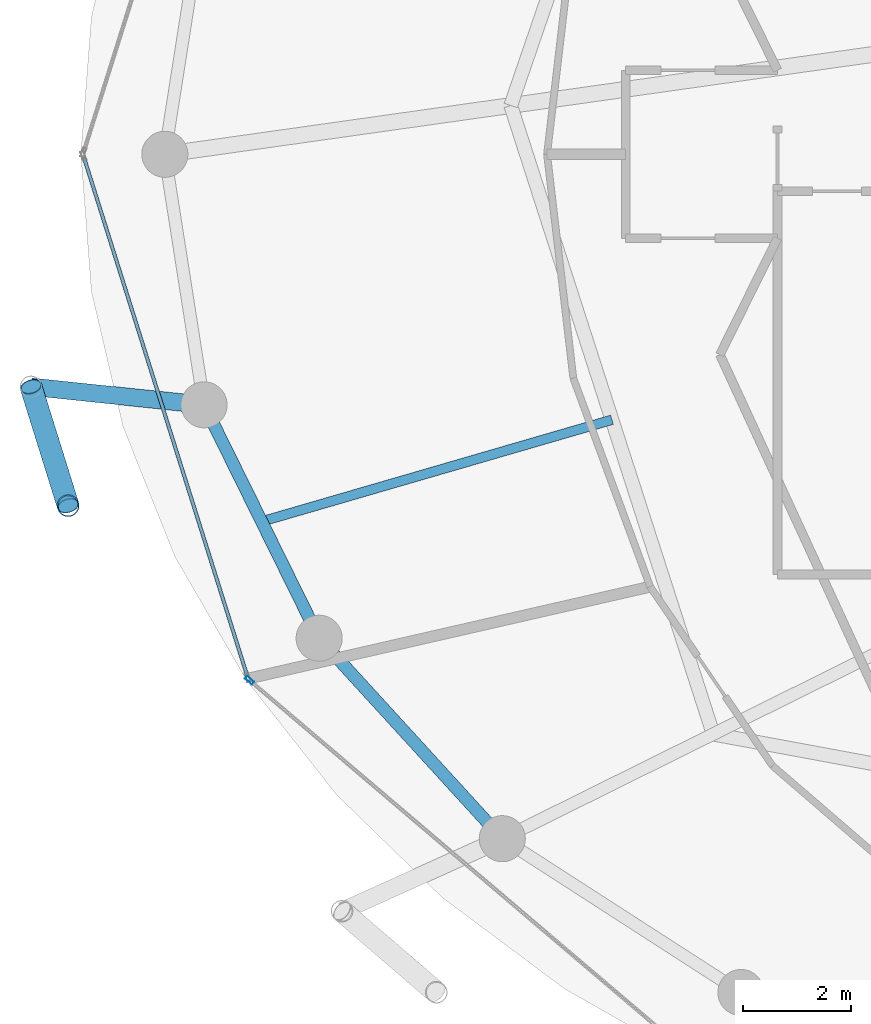
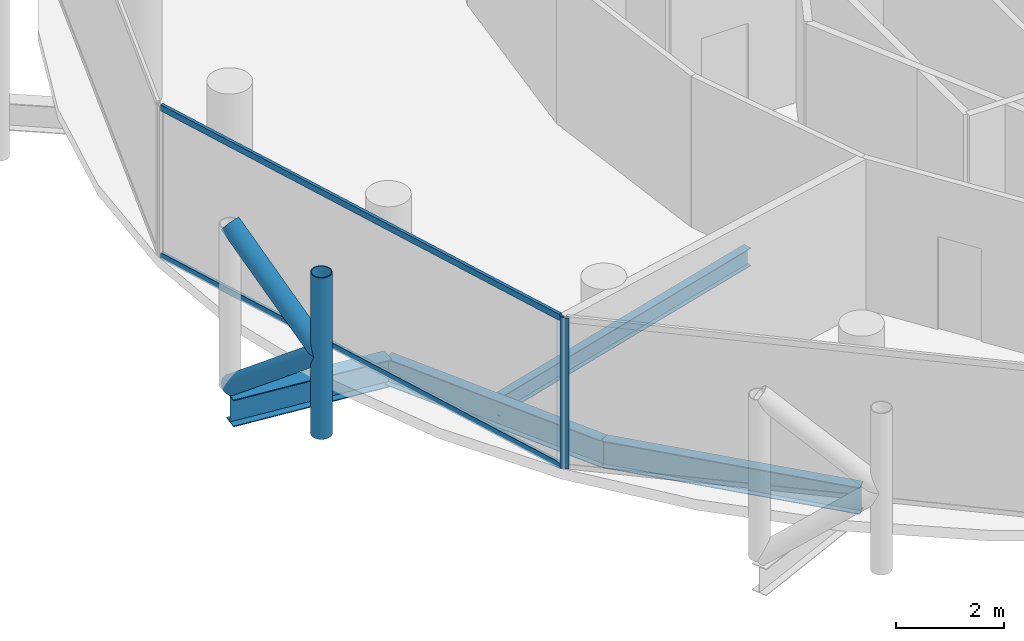
# One storey, part 3 of 27: 6 members, 4 beams, 2 elements without a shape of their own.
"""IFC4 building model written with IfcOpenShell, lengths in metres."""

from ifc_helpers import new_model, si_unit, direction, frame, origin, origin_2d, place, context, subcontext, project, spatial, hollow_rectangle, hollow_circle, i_section, extrude, material, layer, layer_set, material_profile, profile_set, type_object, element, aggregate, save


model = new_model("IFC4")

# Units and contexts
model_context = context("Model", 3, precision=1e-05, world=origin(), true_north=direction((0.0, 1.0)))
body_context = subcontext(model_context, "Body", "Model", "MODEL_VIEW")
ifc_project = project(units=[si_unit("LENGTHUNIT", "METRE"), si_unit("AREAUNIT", "SQUARE_METRE"), si_unit("VOLUMEUNIT", "CUBIC_METRE"), si_unit("PLANEANGLEUNIT", "RADIAN"), si_unit("MASSUNIT", "GRAM", prefix="KILO")], contexts=[model_context])

# Site, building, storey
site_placement = place(None, origin())
site = spatial("IfcSite", under=ifc_project, at=site_placement, CompositionType="ELEMENT")
building_placement = place(site_placement, origin())
building = spatial("IfcBuilding", under=site, at=building_placement, Name="Nuhasar Tower", CompositionType="ELEMENT")
storey_placement = place(building_placement, frame((0.0, 0.0, 211.800048828125)))
storey = spatial("IfcBuildingStorey", under=building, at=storey_placement, Name="L51", CompositionType="ELEMENT", Elevation=211.800048828125)

# Beams
ifc_material_1 = material(Name="Steel S355", Category="steel")
ifc_material_profile_1 = material_profile(ifc_material_1, i_section(OverallWidth=0.177978515625, OverallDepth=0.406005859375, WebThickness=0.0078125, FlangeThickness=0.0126953125, at=origin_2d()), Name="W16X40")
ifc_profile_set_1 = profile_set([ifc_material_profile_1], Name="Steel S355")
beam_type_1 = type_object("IfcBeamType", Name="BM-JST-W16X40", PredefinedType="JOIST", material=ifc_profile_set_1)
beam_1_placement = place(storey_placement, frame((25.9970703125, 21.904052734375, -0.443115234375), z_axis=(-0.960312689798, -0.27892568511, 0.0), x_axis=(0.27892568511, -0.960312689798, 0.0)))
element("IfcBeam", 1, at=beam_1_placement, inside=storey, type_object=beam_type_1, Name="L51 Secondary Floor Joist 08", PredefinedType="JOIST", context=body_context, shape_type="SweptSolid", body=[
    extrude(i_section(OverallWidth=0.177978515625, OverallDepth=0.406005859375, WebThickness=0.0078125, FlangeThickness=0.0126953125, at=origin_2d()), origin(), (0.0, 0.0, 1.0), 6.729248046875),
])
ifc_material_profile_2 = material_profile(ifc_material_1, i_section(OverallWidth=0.22802734375, OverallDepth=0.60791015625, WebThickness=0.01123046875, FlangeThickness=0.017333984375, at=origin_2d()), Name="W24X76")
ifc_profile_set_2 = profile_set([ifc_material_profile_2], Name="Steel S355")
beam_type_2 = type_object("IfcBeamType", Name="BM-RING-W24X76", PredefinedType="SPANDREL", material=ifc_profile_set_2)
beam_2_placement = place(storey_placement, frame((18.47412109375, 22.179931640625, -0.5439453125), z_axis=(0.442262779282, -0.896885518928, 0.0), x_axis=(0.896885518928, 0.442262779282, 0.0)))
element("IfcBeam", 2, at=beam_2_placement, inside=storey, type_object=beam_type_2, Name="L51 Perimeter Ring Spandrel 14", PredefinedType="SPANDREL", context=body_context, shape_type="SweptSolid", body=[
    extrude(i_section(OverallWidth=0.22802734375, OverallDepth=0.60791015625, WebThickness=0.01123046875, FlangeThickness=0.017333984375, at=origin_2d()), origin(), (0.0, 0.0, 1.0), 4.7998046875),
])
beam_3_placement = place(storey_placement, frame((20.596923828125, 17.875, -0.5439453125), z_axis=(0.674449692975, -0.738320805373, 0.0), x_axis=(0.738320805373, 0.674449692975, 0.0)))
element("IfcBeam", 3, at=beam_3_placement, inside=storey, type_object=beam_type_2, Name="L51 Perimeter Ring Spandrel 15", PredefinedType="SPANDREL", context=body_context, shape_type="SweptSolid", body=[
    extrude(i_section(OverallWidth=0.22802734375, OverallDepth=0.60791015625, WebThickness=0.01123046875, FlangeThickness=0.017333984375, at=origin_2d()), origin(), (0.0, 0.0, 1.0), 5.00732421875),
])
ifc_material_profile_3 = material_profile(ifc_material_1, i_section(OverallWidth=0.323974609375, OverallDepth=0.611083984375, WebThickness=0.0126953125, FlangeThickness=0.01904296875, at=origin_2d()), Name="W24X104")
ifc_profile_set_3 = profile_set([ifc_material_profile_3], Name="Steel S355")
beam_type_3 = type_object("IfcBeamType", Name="BM-TIE-W24X104", PredefinedType="BEAM", material=ifc_profile_set_3)
beam_4_placement = place(storey_placement, frame((18.47412109375, 22.179931640625, -0.545166015625), z_axis=(-0.994571111079, 0.10405914187, 0.0), x_axis=(-0.10405914187, -0.994571111079, 0.0)))
element("IfcBeam", 4, at=beam_4_placement, inside=storey, type_object=beam_type_3, Name="L51 Exoskeleton Node Tie Beam 07", PredefinedType="BEAM", context=body_context, shape_type="SweptSolid", body=[
    extrude(i_section(OverallWidth=0.323974609375, OverallDepth=0.611083984375, WebThickness=0.0126953125, FlangeThickness=0.01904296875, at=origin_2d()), origin(), (0.0, 0.0, 1.0), 3.20947265625),
])

# Curtain wall, member
ifc_material_2 = material(Name="Aluminium 6063-T6", Category="aluminium")
ifc_layer = layer(ifc_material_2, 0.18994140625)
ifc_layer_set = layer_set([ifc_layer], Name="Aluminium 6063-T6")
curtain_wall_type = type_object("IfcCurtainWallType", Name="CW-Z3-RES", PredefinedType="NOTDEFINED", material=ifc_layer_set)
curtain_wall_1_placement = place(storey_placement, origin())
curtain_wall_1 = element("IfcCurtainWall", 5, at=curtain_wall_1_placement, inside=storey, type_object=curtain_wall_type, Name="L51 Unitised Curtain Wall 08", PredefinedType="NOTDEFINED")
ifc_material_profile_4 = material_profile(ifc_material_2, hollow_rectangle(XDim=0.06494140625, YDim=0.169921875, WallThickness=0.0048828125, at=origin_2d()), Name="CWM-4")
ifc_profile_set_4 = profile_set([ifc_material_profile_4], Name="Aluminium 6063-T6")
member_type_1 = type_object("IfcMemberType", Name="CW-MUL-S4", PredefinedType="MULLION", material=ifc_profile_set_4)
member_1_placement = place(storey_placement, frame((19.313720703125, 17.098876953125, 0.0), z_axis=(0.0, 0.0, 1.0), x_axis=(0.64789521578, 0.761729472562, 0.0)))
member_1 = element("IfcMember", 6, at=member_1_placement, type_object=member_type_1, Name="CW-Z3 mullion 1", PredefinedType="MULLION", context=body_context, shape_type="SweptSolid", body=[
    extrude(hollow_rectangle(XDim=0.06494140625, YDim=0.169921875, WallThickness=0.0048828125, at=origin_2d()), origin(), (0.0, 0.0, 1.0), 3.409912109375),
])
aggregate(curtain_wall_1, [member_1])

# Curtain wall, members
curtain_wall_2_placement = place(storey_placement, origin())
curtain_wall_2 = element("IfcCurtainWall", 7, at=curtain_wall_2_placement, inside=storey, type_object=curtain_wall_type, Name="L51 Unitised Curtain Wall 07", PredefinedType="NOTDEFINED")
ifc_material_profile_5 = material_profile(ifc_material_2, hollow_rectangle(XDim=0.06494140625, YDim=0.139892578125, WallThickness=0.00439453125, at=origin_2d()), Name="CWT-4")
ifc_profile_set_5 = profile_set([ifc_material_profile_5], Name="Aluminium 6063-T6")
member_type_2 = type_object("IfcMemberType", Name="CW-TRN-S4", PredefinedType="USERDEFINED", material=ifc_profile_set_5)
member_2_placement = place(storey_placement, frame((16.259521484375, 26.738037109375, 0.032470703125), z_axis=(0.300430390604, -0.953803743126, 0.0), x_axis=(0.953803743126, 0.300430390604, 0.0)))
member_2 = element("IfcMember", 8, at=member_2_placement, type_object=member_type_2, Name="CW-Z3 transom 1.1", ObjectType="TRANSOM", PredefinedType="USERDEFINED", context=body_context, shape_type="SweptSolid", body=[
    extrude(hollow_rectangle(XDim=0.06494140625, YDim=0.139892578125, WallThickness=0.00439453125, at=origin_2d()), origin(), (0.0, 0.0, 1.0), 10.01904296875),
])
member_3_placement = place(storey_placement, frame((16.259521484375, 26.738037109375, 3.37744140625), z_axis=(0.300430390604, -0.953803743126, 0.0), x_axis=(0.953803743126, 0.300430390604, 0.0)))
member_3 = element("IfcMember", 9, at=member_3_placement, type_object=member_type_2, Name="CW-Z3 transom 1.2", ObjectType="TRANSOM", PredefinedType="USERDEFINED", context=body_context, shape_type="SweptSolid", body=[
    extrude(hollow_rectangle(XDim=0.06494140625, YDim=0.139892578125, WallThickness=0.00439453125, at=origin_2d()), origin(), (0.0, 0.0, 1.0), 10.01904296875),
])
aggregate(curtain_wall_2, [member_2, member_3])

# Members
ifc_material_3 = material(Name="Steel S460", Category="steel")
ifc_material_profile_6 = material_profile(ifc_material_3, hollow_circle(Radius=0.203125, WallThickness=0.01904296875, at=origin_2d()), Name="HSS406.4X19.1")
ifc_profile_set_6 = profile_set([ifc_material_profile_6], Name="Steel S460")
member_type_3 = type_object("IfcMemberType", Name="EXO-BRONZE-406", PredefinedType="BRACE", material=ifc_profile_set_6)
member_4_placement = place(storey_placement, frame((15.967041015625, 20.319091796875, 0.0), z_axis=(0.0, 0.0, 1.0), x_axis=(1.0, 0.0, 0.0)))
element("IfcMember", 10, at=member_4_placement, inside=storey, type_object=member_type_3, Name="L51 Exoskeleton Chord Column EC-07B", PredefinedType="BRACE", context=body_context, shape_type="SweptSolid", body=[
    extrude(hollow_circle(Radius=0.203125, WallThickness=0.01904296875, at=origin_2d()), origin(), (0.0, 0.0, 1.0), 3.64990234375),
])
for number, where, z_axis, x_axis, name in (
    (11, (15.281982421875, 22.513916015625, 0.0), (0.233372423355, -0.747689980743, 0.621688832709), (0.954581948223, 0.297948492404, 0.0), "L51 Bronze Diagrid Brace W1-07"),
    (12, (15.967041015625, 20.319091796875, 1.824951171875), (-0.233372423355, 0.747689980743, 0.621688832709), (-0.954581948223, -0.297948492404, 0.0), "L51 Bronze Diagrid Brace W2-07"),
):
    element("IfcMember", number, at=place(storey_placement, frame(where, z_axis=z_axis, x_axis=x_axis)), inside=storey, type_object=member_type_3, Name=name, PredefinedType="BRACE", context=body_context, shape_type="SweptSolid", body=[
        extrude(hollow_circle(Radius=0.203125, WallThickness=0.01904296875, at=origin_2d()), origin(), (0.0, 0.0, 1.0), 2.935546875),
    ])

save(model, "model.ifc")
